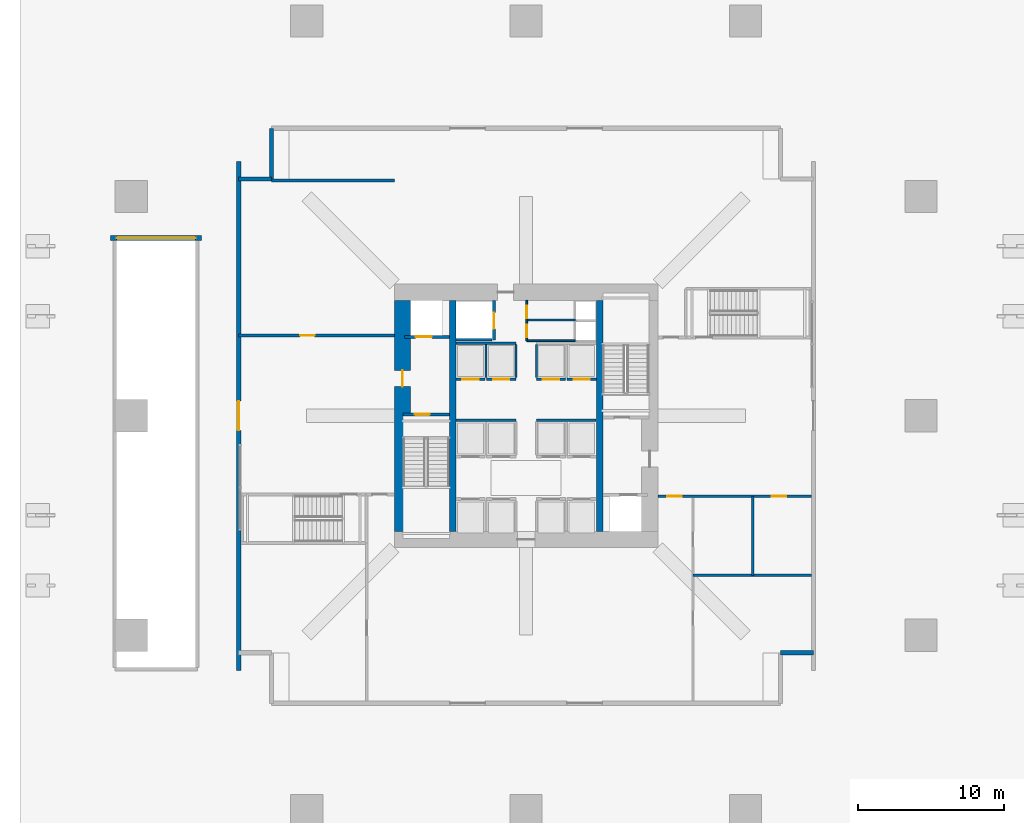
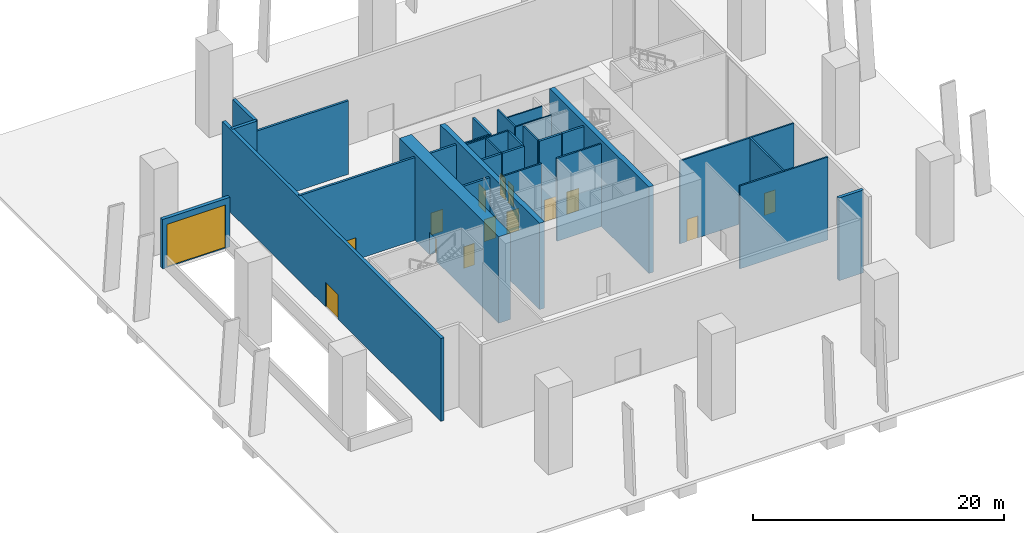
# One storey, part 7 of 12: 30 walls, 15 doors, 15 openings.
"""IFC4 building model written with IfcOpenShell, lengths in metres."""

from ifc_helpers import new_model, si_unit, direction, frame, frame_2d, origin, place, context, subcontext, project, spatial, rectangle, extrude, material, layer, layer_set, type_object, element, fill, save


model = new_model("IFC4")

# Units and contexts
model_context = context("Model", 3, precision=1e-05, world=origin(), true_north=direction((0.0, 1.0)))
body_context = subcontext(model_context, "Body", "Model", "MODEL_VIEW")
ifc_project = project(units=[si_unit("LENGTHUNIT", "METRE"), si_unit("AREAUNIT", "SQUARE_METRE"), si_unit("VOLUMEUNIT", "CUBIC_METRE"), si_unit("PLANEANGLEUNIT", "RADIAN"), si_unit("MASSUNIT", "GRAM", prefix="KILO")], contexts=[model_context])

# Site, building, storey
site_placement = place(None, origin())
site = spatial("IfcSite", under=ifc_project, at=site_placement, CompositionType="ELEMENT")
building_placement = place(site_placement, origin())
building = spatial("IfcBuilding", under=site, at=building_placement, Name="Belovzor Exchange Tower", CompositionType="ELEMENT")
storey_placement = place(building_placement, origin())
storey = spatial("IfcBuildingStorey", under=building, at=storey_placement, Name="L01", CompositionType="ELEMENT", Elevation=0.0)

# Wall, openings, doors
ifc_material_1 = material(Name="Fire-Rated Plasterboard on Galvanised Studs", Category="gypsum")
ifc_layer_1 = layer(ifc_material_1, 0.1201171875)
ifc_layer_set_1 = layer_set([ifc_layer_1], Name="Fire-Rated Plasterboard on Galvanised Studs")
wall_type_1 = type_object("IfcWallType", Name="Fire-Rated Double-Stud Partition Wall 120", PredefinedType="PARTITIONING", material=ifc_layer_set_1)
wall_1_placement = place(storey_placement, frame((28.85009765625, 33.925048828125, 0.0), z_axis=(0.0, 0.0, 1.0), x_axis=(0.0, 1.0, 0.0)))
wall_1 = element("IfcWall", 1, at=wall_1_placement, inside=storey, type_object=wall_type_1, Name="W-P120F Partition Wall W-CRV-L01-W", PredefinedType="PARTITIONING", context=body_context, shape_type="SweptSolid", body=[
    extrude(rectangle(XDim=2.77490234375, YDim=0.1201171875, at=frame_2d((1.387451171875, 0.0))), origin(), (0.0, 0.0, 1.0), 8.050048828125),
])
opening_1_placement = place(wall_1_placement, frame((0.25, 0.0, 0.0)))
opening_1 = element("IfcOpeningElement", 2, at=opening_1_placement, cuts=wall_1, Name="Opening D-FD60-085", PredefinedType="OPENING", context=body_context, shape_type="SweptSolid", body=[
    extrude(rectangle(XDim=0.85009765625, YDim=2.10009765625, at=frame_2d((0.425048828125, 1.050048828125))), frame((0.0, 0.070068359375, 0.0), z_axis=(0.0, -1.0, 0.0), x_axis=(1.0, 0.0, 0.0)), (0.0, 0.0, 1.0), 0.14013671875),
])
opening_2_placement = place(wall_1_placement, frame((1.544921875, 0.0, 0.0)))
opening_2 = element("IfcOpeningElement", 3, at=opening_2_placement, cuts=wall_1, Name="Opening D-FD60-085", PredefinedType="OPENING", context=body_context, shape_type="SweptSolid", body=[
    extrude(rectangle(XDim=0.85009765625, YDim=2.10009765625, at=frame_2d((0.425048828125, 1.050048828125))), frame((0.0, 0.070068359375, 0.0), z_axis=(0.0, -1.0, 0.0), x_axis=(1.0, 0.0, 0.0)), (0.0, 0.0, 1.0), 0.14013671875),
])
ifc_material_2 = material(Name="Fire-Rated Steel Access Leaf", Category="steel")
door_type_1 = type_object("IfcDoorType", Name="Riser & Meter Closet Access Fire Door 850x2100", OperationType="NOTDEFINED", PredefinedType="DOOR", material=ifc_material_2)
door_1_placement = place(opening_1_placement, origin())
door_1 = element("IfcDoor", 4, at=door_1_placement, inside=storey, type_object=door_type_1, Name="D-FD60-085 Riser & Meter Closet Access Fire Door 850x2100", OperationType="SINGLE_SWING_LEFT", OverallHeight=2.10009765625, OverallWidth=0.85009765625, PredefinedType="DOOR", context=body_context, shape_type="SweptSolid", body=[
    extrude(rectangle(XDim=0.85009765625, YDim=2.10009765625, at=frame_2d((0.425048828125, 1.050048828125))), frame((0.0, 0.02490234375, 0.0), z_axis=(0.0, -1.0, 0.0), x_axis=(1.0, 0.0, 0.0)), (0.0, 0.0, 1.0), 0.050048828125),
])
fill(opening_1, door_1)
door_2_placement = place(opening_2_placement, origin())
door_2 = element("IfcDoor", 5, at=door_2_placement, inside=storey, type_object=door_type_1, Name="D-FD60-085 Riser & Meter Closet Access Fire Door 850x2100", OperationType="SINGLE_SWING_RIGHT", OverallHeight=2.10009765625, OverallWidth=0.85009765625, PredefinedType="DOOR", context=body_context, shape_type="SweptSolid", body=[
    extrude(rectangle(XDim=0.85009765625, YDim=2.10009765625, at=frame_2d((0.425048828125, 1.050048828125))), frame((0.0, 0.02490234375, 0.0), z_axis=(0.0, -1.0, 0.0), x_axis=(1.0, 0.0, 0.0)), (0.0, 0.0, 1.0), 0.050048828125),
])
fill(opening_2, door_2)

# Walls
for number, where, z_axis, x_axis, name in (
    (6, (28.85009765625, 35.35009765625, 0.0), (0.0, 0.0, 1.0), (1.0, 0.0, 0.0), "W-P120F Partition Wall W-CRV-L01-M"),
    (7, (28.85009765625, 33.925048828125, 0.0), (0.0, 0.0, 1.0), (1.0, 0.0, 0.0), "W-P120F Partition Wall W-CRV-L01-S"),
):
    element("IfcWall", number, at=place(storey_placement, frame(where, z_axis=z_axis, x_axis=x_axis)), inside=storey, type_object=wall_type_1, Name=name, PredefinedType="PARTITIONING", context=body_context, shape_type="SweptSolid", body=[
        extrude(rectangle(XDim=3.2998046875, YDim=0.1201171875, at=frame_2d((1.64990234375, 0.0))), origin(), (0.0, 0.0, 1.0), 8.050048828125),
    ])

# Wall, openings, doors
ifc_material_3 = material(Name="Fire-Rated Gypsum Block and Mineral Wool", Category="gypsum")
ifc_layer_2 = layer(ifc_material_3, 0.14990234375)
ifc_layer_set_2 = layer_set([ifc_layer_2], Name="Fire-Rated Gypsum Block and Mineral Wool")
wall_type_2 = type_object("IfcWallType", Name="Fire-Rated Gypsum Block Corridor Wall 150", PredefinedType="PARTITIONING", material=ifc_layer_set_2)
wall_2_placement = place(storey_placement, frame((37.800048828125, 23.300048828125, 0.0), z_axis=(0.0, 0.0, 1.0), x_axis=(1.0, 0.0, 0.0)))
wall_2 = element("IfcWall", 8, at=wall_2_placement, inside=storey, type_object=wall_type_2, Name="W-P150 Partition Wall W-L01-WC-N", PredefinedType="PARTITIONING", context=body_context, shape_type="SweptSolid", body=[
    extrude(rectangle(XDim=10.5, YDim=0.14990234375, at=frame_2d((5.25, 0.0))), origin(), (0.0, 0.0, 1.0), 8.050048828125),
])
opening_3_placement = place(wall_2_placement, frame((0.64990234375, 0.0, 0.0)))
opening_3 = element("IfcOpeningElement", 9, at=opening_3_placement, cuts=wall_2, Name="Opening D-FD60-105", PredefinedType="OPENING", context=body_context, shape_type="SweptSolid", body=[
    extrude(rectangle(XDim=1.0, YDim=2.14990234375, at=frame_2d((0.5, 1.074951171875))), frame((0.0, 0.0849609375, 0.0), z_axis=(0.0, -1.0, 0.0), x_axis=(1.0, 0.0, 0.0)), (0.0, 0.0, 1.0), 0.169921875),
])
opening_4_placement = place(wall_2_placement, frame((7.800048828125, 0.0, 0.0)))
opening_4 = element("IfcOpeningElement", 10, at=opening_4_placement, cuts=wall_2, Name="Opening D-FD60-105", PredefinedType="OPENING", context=body_context, shape_type="SweptSolid", body=[
    extrude(rectangle(XDim=1.0, YDim=2.14990234375, at=frame_2d((0.5, 1.074951171875))), frame((0.0, 0.0849609375, 0.0), z_axis=(0.0, -1.0, 0.0), x_axis=(1.0, 0.0, 0.0)), (0.0, 0.0, 1.0), 0.169921875),
])
ifc_material_4 = material(Name="Acoustic Timber Fire Leaf", Category="wood")
door_type_2 = type_object("IfcDoorType", Name="Podium Gallery Acoustic Fire Door 1000x2150", OperationType="NOTDEFINED", PredefinedType="DOOR", material=ifc_material_4)
door_3_placement = place(opening_3_placement, origin())
door_3 = element("IfcDoor", 11, at=door_3_placement, inside=storey, type_object=door_type_2, Name="D-FD60-105 Podium Gallery Acoustic Fire Door 1000x2150", OperationType="SINGLE_SWING_LEFT", OverallHeight=2.14990234375, OverallWidth=1.0, PredefinedType="DOOR", context=body_context, shape_type="SweptSolid", body=[
    extrude(rectangle(XDim=1.0, YDim=2.14990234375, at=frame_2d((0.5, 1.074951171875))), frame((0.0, 0.02490234375, 0.0), z_axis=(0.0, -1.0, 0.0), x_axis=(1.0, 0.0, 0.0)), (0.0, 0.0, 1.0), 0.050048828125),
])
fill(opening_3, door_3)
door_4_placement = place(opening_4_placement, origin())
door_4 = element("IfcDoor", 12, at=door_4_placement, inside=storey, type_object=door_type_2, Name="D-FD60-105 Podium Gallery Acoustic Fire Door 1000x2150", OperationType="SINGLE_SWING_RIGHT", OverallHeight=2.14990234375, OverallWidth=1.0, PredefinedType="DOOR", context=body_context, shape_type="SweptSolid", body=[
    extrude(rectangle(XDim=1.0, YDim=2.14990234375, at=frame_2d((0.5, 1.074951171875))), frame((0.0, 0.02490234375, 0.0), z_axis=(0.0, -1.0, 0.0), x_axis=(1.0, 0.0, 0.0)), (0.0, 0.0, 1.0), 0.050048828125),
])
fill(opening_4, door_4)

# Walls
wall_3_placement = place(storey_placement, frame((40.199951171875, 17.89990234375, 0.0), z_axis=(0.0, 0.0, 1.0), x_axis=(1.0, 0.0, 0.0)))
element("IfcWall", 13, at=wall_3_placement, inside=storey, type_object=wall_type_2, Name="W-P150 Partition Wall W-L01-WC-M", PredefinedType="PARTITIONING", context=body_context, shape_type="SweptSolid", body=[
    extrude(rectangle(XDim=8.10009765625, YDim=0.14990234375, at=frame_2d((4.050048828125, 0.0))), origin(), (0.0, 0.0, 1.0), 8.050048828125),
])
wall_4_placement = place(storey_placement, frame((44.300048828125, 17.89990234375, 0.0), z_axis=(0.0, 0.0, 1.0), x_axis=(0.0, 1.0, 0.0)))
element("IfcWall", 14, at=wall_4_placement, inside=storey, type_object=wall_type_2, Name="W-P150 Partition Wall W-L01-WC-A", PredefinedType="PARTITIONING", context=body_context, shape_type="SweptSolid", body=[
    extrude(rectangle(XDim=5.400146484375, YDim=0.14990234375, at=frame_2d((2.7001953125, 0.0))), origin(), (0.0, 0.0, 1.0), 8.050048828125),
])

# Wall, opening, door
ifc_material_5 = material(Name="Precast concrete C40/50", Category="concrete")
ifc_layer_3 = layer(ifc_material_5, 0.300048828125)
ifc_layer_set_3 = layer_set([ifc_layer_3], Name="Precast concrete C40/50")
wall_type_3 = type_object("IfcWallType", Name="Precast Concrete Concourse Perimeter Wall 300", PredefinedType="SOLIDWALL", material=ifc_layer_set_3)
wall_5_placement = place(storey_placement, frame((9.14990234375, 11.39990234375, 0.0), z_axis=(0.0, 0.0, 1.0), x_axis=(0.0, 1.0, 0.0)))
wall_5 = element("IfcWall", 15, at=wall_5_placement, inside=storey, type_object=wall_type_3, Name="W-CON300 Precast Concrete Concourse Perimeter Wall 300 L01", PredefinedType="SOLIDWALL", context=body_context, shape_type="SweptSolid", body=[
    extrude(rectangle(XDim=34.800048828125, YDim=0.300048828125, at=frame_2d((17.39990234375, 0.0))), origin(), (0.0, 0.0, 1.0), 8.050048828125),
])
opening_5_placement = place(wall_5_placement, frame((16.39990234375, 0.0, 0.0)))
opening_5 = element("IfcOpeningElement", 16, at=opening_5_placement, cuts=wall_5, Name="Opening D-EXIT200", PredefinedType="OPENING", context=body_context, shape_type="SweptSolid", body=[
    extrude(rectangle(XDim=2.0, YDim=2.39990234375, at=frame_2d((1.0, 1.199951171875))), frame((0.0, 0.159912109375, 0.0), z_axis=(0.0, -1.0, 0.0), x_axis=(1.0, 0.0, 0.0)), (0.0, 0.0, 1.0), 0.320068359375),
])
ifc_material_6 = material(Name="Thermally Broken Anodised Aluminium and Laminated Glass", Category="aluminium")
door_type_3 = type_object("IfcDoorType", Name="Ground Final Exit Double Fire Door 2000x2400", OperationType="DOUBLE_DOOR_SINGLE_SWING", PredefinedType="DOOR", material=ifc_material_6)
door_5_placement = place(opening_5_placement, origin())
door_5 = element("IfcDoor", 17, at=door_5_placement, inside=storey, type_object=door_type_3, Name="D-EXIT200 West Final Exit Discharge Door", OperationType="DOUBLE_DOOR_SINGLE_SWING", OverallHeight=2.39990234375, OverallWidth=2.0, PredefinedType="DOOR", context=body_context, shape_type="SweptSolid", body=[
    extrude(rectangle(XDim=2.0, YDim=2.39990234375, at=frame_2d((1.0, 1.199951171875))), frame((0.0, 0.02490234375, 0.0), z_axis=(0.0, -1.0, 0.0), x_axis=(1.0, 0.0, 0.0)), (0.0, 0.0, 1.0), 0.050048828125),
])
fill(opening_5, door_5)

# Walls
ifc_material_7 = material(Name="Precast concrete C40/50", Category="concrete")
ifc_layer_4 = layer(ifc_material_7, 0.280029296875)
ifc_layer_set_4 = layer_set([ifc_layer_4], Name="Precast concrete C40/50")
wall_type_4 = type_object("IfcWallType", Name="Precast Concrete Notched Corner Frame Wall 280", PredefinedType="SOLIDWALL", material=ifc_layer_set_4)
wall_6_placement = place(storey_placement, frame((9.14990234375, 45.0, 0.0), z_axis=(0.0, 0.0, 1.0), x_axis=(1.0, 0.0, 0.0)))
element("IfcWall", 18, at=wall_6_placement, inside=storey, type_object=wall_type_4, Name="W-CRN280 Precast Concrete Notched Corner Frame Wall 280 L01", PredefinedType="SOLIDWALL", context=body_context, shape_type="SweptSolid", body=[
    extrude(rectangle(XDim=2.25, YDim=0.280029296875, at=frame_2d((1.125, 0.0))), origin(), (0.0, 0.0, 1.0), 8.050048828125),
])
wall_7_placement = place(storey_placement, frame((11.39990234375, 45.0, 0.0), z_axis=(0.0, 0.0, 1.0), x_axis=(0.0, 1.0, 0.0)))
element("IfcWall", 19, at=wall_7_placement, inside=storey, type_object=wall_type_4, Name="W-CRN280 Precast Concrete Notched Corner Frame Wall 280 L01", PredefinedType="SOLIDWALL", context=body_context, shape_type="SweptSolid", body=[
    extrude(rectangle(XDim=3.449951171875, YDim=0.280029296875, at=frame_2d((1.72509765625, 0.0))), origin(), (0.0, 0.0, 1.0), 8.050048828125),
])
wall_8_placement = place(storey_placement, frame((48.449951171875, 12.60009765625, 0.0), z_axis=(0.0, 0.0, 1.0), x_axis=(-1.0, 0.0, 0.0)))
element("IfcWall", 20, at=wall_8_placement, inside=storey, type_object=wall_type_4, Name="W-CRN280 Precast Concrete Notched Corner Frame Wall 280 L01", PredefinedType="SOLIDWALL", context=body_context, shape_type="SweptSolid", body=[
    extrude(rectangle(XDim=2.25, YDim=0.280029296875, at=frame_2d((1.125, 0.0))), origin(), (0.0, 0.0, 1.0), 8.050048828125),
])

# Wall, opening, door
ifc_material_8 = material(Name="Precast concrete C40/50", Category="concrete")
ifc_layer_5 = layer(ifc_material_8, 0.320068359375)
ifc_layer_set_5 = layer_set([ifc_layer_5], Name="Precast concrete C40/50")
wall_type_5 = type_object("IfcWallType", Name="Precast Concrete Vehicle Ramp Portal Wall 320", PredefinedType="SOLIDWALL", material=ifc_layer_set_5)
wall_9_placement = place(storey_placement, frame((0.39990234375, 40.9599609375, 0.0), z_axis=(0.0, 0.0, 1.0), x_axis=(1.0, 0.0, 0.0)))
wall_9 = element("IfcWall", 21, at=wall_9_placement, inside=storey, type_object=wall_type_5, Name="W-RMP320 Precast Concrete Vehicle Ramp Portal Wall 320 L01", PredefinedType="SOLIDWALL", context=body_context, shape_type="SweptSolid", body=[
    extrude(rectangle(XDim=6.2001953125, YDim=0.320068359375, at=frame_2d((3.10009765625, 0.0))), origin(), (0.0, 0.0, 1.0), 4.800048828125),
])
opening_6_placement = place(wall_9_placement, frame((0.39990234375, 0.0, 0.0)))
opening_6 = element("IfcOpeningElement", 22, at=opening_6_placement, cuts=wall_9, Name="Opening VG-01", PredefinedType="OPENING", context=body_context, shape_type="SweptSolid", body=[
    extrude(rectangle(XDim=5.39990234375, YDim=4.199951171875, at=frame_2d((2.699951171875, 2.10009765625))), frame((0.0, 0.169921875, 0.0), z_axis=(0.0, -1.0, 0.0), x_axis=(1.0, 0.0, 0.0)), (0.0, 0.0, 1.0), 0.340087890625),
])
ifc_material_9 = material(Name="Insulated Galvanised Steel Slats", Category="steel")
door_type_4 = type_object("IfcDoorType", Name="Insulated High-Speed Vehicle Roller Shutter Gate 5400x4200", OperationType="ROLLINGUP", PredefinedType="GATE", material=ifc_material_9)
door_6_placement = place(opening_6_placement, origin())
door_6 = element("IfcDoor", 23, at=door_6_placement, inside=storey, type_object=door_type_4, Name="VG-01 Vehicle Car Park Ramp Shutter Gate", OperationType="ROLLINGUP", OverallHeight=4.199951171875, OverallWidth=5.39990234375, PredefinedType="GATE", context=body_context, shape_type="SweptSolid", body=[
    extrude(rectangle(XDim=5.39990234375, YDim=4.199951171875, at=frame_2d((2.699951171875, 2.10009765625))), frame((0.0, 0.02490234375, 0.0), z_axis=(0.0, -1.0, 0.0), x_axis=(1.0, 0.0, 0.0)), (0.0, 0.0, 1.0), 0.050048828125),
])
fill(opening_6, door_6)

ifc_material_10 = material(Name="Concrete C40/50", Category="concrete")
ifc_layer_6 = layer(ifc_material_10, 0.199951171875)
ifc_layer_set_6 = layer_set([ifc_layer_6], Name="Concrete C40/50")
wall_type_6 = type_object("IfcWallType", Name="Reinforced Concrete Compartment Wall 200", PredefinedType="PARTITIONING", material=ifc_layer_set_6)
wall_10_placement = place(storey_placement, frame((9.14990234375, 34.300048828125, 0.0), z_axis=(0.0, 0.0, 1.0), x_axis=(1.0, 0.0, 0.0)))
wall_10 = element("IfcWall", 24, at=wall_10_placement, inside=storey, type_object=wall_type_6, Name="W-C200 Partition Wall W-L01-FCC-S", PredefinedType="PARTITIONING", context=body_context, shape_type="SweptSolid", body=[
    extrude(rectangle(XDim=10.650146484375, YDim=0.199951171875, at=frame_2d((5.3251953125, 0.0))), origin(), (0.0, 0.0, 1.0), 8.050048828125),
])
opening_7_placement = place(wall_10_placement, frame((4.199951171875, 0.0, 0.0)))
opening_7 = element("IfcOpeningElement", 25, at=opening_7_placement, cuts=wall_10, Name="Opening D-FD90-105", PredefinedType="OPENING", context=body_context, shape_type="SweptSolid", body=[
    extrude(rectangle(XDim=1.0, YDim=2.14990234375, at=frame_2d((0.5, 1.074951171875))), frame((0.0, 0.10986328125, 0.0), z_axis=(0.0, -1.0, 0.0), x_axis=(1.0, 0.0, 0.0)), (0.0, 0.0, 1.0), 0.219970703125),
])
ifc_material_11 = material(Name="Fire-Rated Galvanised Steel Leaf", Category="steel")
door_type_5 = type_object("IfcDoorType", Name="Core North Foyer Fire Door 1000x2150", OperationType="NOTDEFINED", PredefinedType="DOOR", material=ifc_material_11)
door_7_placement = place(opening_7_placement, origin())
door_7 = element("IfcDoor", 26, at=door_7_placement, inside=storey, type_object=door_type_5, Name="D-FD90-105 Core North Foyer Fire Door 1000x2150", OperationType="SINGLE_SWING_LEFT", OverallHeight=2.14990234375, OverallWidth=1.0, PredefinedType="DOOR", context=body_context, shape_type="SweptSolid", body=[
    extrude(rectangle(XDim=1.0, YDim=2.14990234375, at=frame_2d((0.5, 1.074951171875))), frame((0.0, 0.02490234375, 0.0), z_axis=(0.0, -1.0, 0.0), x_axis=(1.0, 0.0, 0.0)), (0.0, 0.0, 1.0), 0.050048828125),
])
fill(opening_7, door_7)

# Walls
wall_11_placement = place(storey_placement, frame((11.39990234375, 44.89990234375, 0.0), z_axis=(0.0, 0.0, 1.0), x_axis=(1.0, 0.0, 0.0)))
element("IfcWall", 27, at=wall_11_placement, inside=storey, type_object=wall_type_6, Name="W-C200 Partition Wall W-L01-FCC-N", PredefinedType="PARTITIONING", context=body_context, shape_type="SweptSolid", body=[
    extrude(rectangle(XDim=8.400146484375, YDim=0.199951171875, at=frame_2d((4.2001953125, 0.0))), origin(), (0.0, 0.0, 1.0), 7.135009765625),
])
ifc_material_12 = material(Name="Concrete C50/60", Category="concrete")
ifc_layer_7 = layer(ifc_material_12, 0.449951171875)
ifc_layer_set_7 = layer_set([ifc_layer_7], Name="Concrete C50/60")
wall_type_7 = type_object("IfcWallType", Name="Reinforced Concrete Core Internal Web Wall 450", PredefinedType="SHEAR", material=ifc_layer_set_7)
for number, where, z_axis, x_axis, name in (
    (28, (23.77490234375, 20.89990234375, 0.0), (0.0, 0.0, 1.0), (0.0, 1.0, 0.0), "CW-W045 Core Internal Web Wall L01 WL"),
    (29, (33.824951171875, 20.89990234375, 0.0), (0.0, 0.0, 1.0), (0.0, 1.0, 0.0), "CW-W045 Core Internal Web Wall L01 ER"),
):
    element("IfcWall", number, at=place(storey_placement, frame(where, z_axis=z_axis, x_axis=x_axis)), inside=storey, type_object=wall_type_7, Name=name, PredefinedType="SHEAR", context=body_context, shape_type="SweptSolid", body=[
        extrude(rectangle(XDim=15.800048828125, YDim=0.449951171875, at=frame_2d((7.89990234375, 0.0))), origin(), (0.0, 0.0, 1.0), 8.39990234375),
    ])
ifc_material_13 = material(Name="Concrete C50/60", Category="concrete")
ifc_layer_8 = layer(ifc_material_13, 0.14990234375)
ifc_layer_set_8 = layer_set([ifc_layer_8], Name="Concrete C50/60")
wall_type_8 = type_object("IfcWallType", Name="Reinforced Concrete Core Riser Shear Wall 150", PredefinedType="SHEAR", material=ifc_layer_set_8)
wall_12_placement = place(storey_placement, frame((24.0, 34.0, 0.0), z_axis=(0.0, 0.0, 1.0), x_axis=(1.0, 0.0, 0.0)))
element("IfcWall", 30, at=wall_12_placement, inside=storey, type_object=wall_type_8, Name="W-C150S Core Shaft Wall W-SH-L01-SL-01S", PredefinedType="SHEAR", context=body_context, shape_type="SweptSolid", body=[
    extrude(rectangle(XDim=2.47998046875, YDim=0.14990234375, at=frame_2d((1.239990234375, 0.0))), origin(), (0.0, 0.0, 1.0), 8.050048828125),
])
for number, where, z_axis, x_axis, name in (
    (31, (24.02001953125, 28.5, 0.0), (0.0, 0.0, 1.0), (1.0, 0.0, 0.0), "W-C150S Core Shaft Wall W-SHB-L01-PLM-NW"),
    (32, (29.5, 28.5, 0.0), (0.0, 0.0, 1.0), (1.0, 0.0, 0.0), "W-C150S Core Shaft Wall W-SHB-L01-PLM-NE"),
    (33, (24.02001953125, 33.760009765625, 0.0), (0.0, 0.0, 1.0), (1.0, 0.0, 0.0), "W-C150S Core Shaft Wall W-SHB-L01-PLH-NW"),
):
    element("IfcWall", number, at=place(storey_placement, frame(where, z_axis=z_axis, x_axis=x_axis)), inside=storey, type_object=wall_type_8, Name=name, PredefinedType="SHEAR", context=body_context, shape_type="SweptSolid", body=[
        extrude(rectangle(XDim=4.080078125, YDim=0.14990234375, at=frame_2d((2.0400390625, 0.0))), origin(), (0.0, 0.0, 1.0), 8.050048828125),
    ])
for number, where, z_axis, x_axis, name in (
    (34, (26.050048828125, 31.419921875, 0.0), (0.0, 0.0, 1.0), (0.0, 1.0, 0.0), "W-C150S Core Shaft Wall W-SHD-L01-PLH-1"),
    (35, (28.10009765625, 31.419921875, 0.0), (0.0, 0.0, 1.0), (0.0, 1.0, 0.0), "W-C150S Core Shaft Wall W-SHD-L01-PLH-2"),
    (36, (29.5, 31.419921875, 0.0), (0.0, 0.0, 1.0), (0.0, 1.0, 0.0), "W-C150S Core Shaft Wall W-SHD-L01-PLH-3"),
):
    element("IfcWall", number, at=place(storey_placement, frame(where, z_axis=z_axis, x_axis=x_axis)), inside=storey, type_object=wall_type_8, Name=name, PredefinedType="SHEAR", context=body_context, shape_type="SweptSolid", body=[
        extrude(rectangle(XDim=2.239990234375, YDim=0.14990234375, at=frame_2d((1.1201171875, 0.0))), origin(), (0.0, 0.0, 1.0), 8.050048828125),
    ])

# Wall, opening, door
ifc_material_14 = material(Name="Concrete C50/60", Category="concrete")
ifc_layer_9 = layer(ifc_material_14, 0.199951171875)
ifc_layer_set_9 = layer_set([ifc_layer_9], Name="Concrete C50/60")
wall_type_9 = type_object("IfcWallType", Name="Reinforced Concrete Core Shaft Shear Wall 200", PredefinedType="SHEAR", material=ifc_layer_set_9)
wall_13_placement = place(storey_placement, frame((20.39990234375, 28.89990234375, 0.0), z_axis=(0.0, 0.0, 1.0), x_axis=(1.0, 0.0, 0.0)))
wall_13 = element("IfcWall", 37, at=wall_13_placement, inside=storey, type_object=wall_type_9, Name="W-C200S Core Shaft Wall W-CORE-L01-FFLW1", PredefinedType="SHEAR", context=body_context, shape_type="SweptSolid", body=[
    extrude(rectangle(XDim=3.150146484375, YDim=0.199951171875, at=frame_2d((1.5751953125, 0.0))), origin(), (0.0, 0.0, 1.0), 8.050048828125),
])
opening_8_placement = place(wall_13_placement, frame((0.800048828125, 0.0, 0.0)))
opening_8 = element("IfcOpeningElement", 38, at=opening_8_placement, cuts=wall_13, Name="Opening D-FD90-100", PredefinedType="OPENING", context=body_context, shape_type="SweptSolid", body=[
    extrude(rectangle(XDim=1.0, YDim=2.10009765625, at=frame_2d((0.5, 1.050048828125))), frame((0.0, 0.10986328125, 0.0), z_axis=(0.0, -1.0, 0.0), x_axis=(1.0, 0.0, 0.0)), (0.0, 0.0, 1.0), 0.219970703125),
])
ifc_material_15 = material(Name="Fire-Rated Galvanised Steel Leaf", Category="steel")
door_type_6 = type_object("IfcDoorType", Name="Protected Stairwell Single Fire Door 1000x2100", OperationType="NOTDEFINED", PredefinedType="DOOR", material=ifc_material_15)
door_8_placement = place(opening_8_placement, origin())
door_8 = element("IfcDoor", 39, at=door_8_placement, inside=storey, type_object=door_type_6, Name="D-FD90-100 Protected Stairwell Single Fire Door 1000x2100", OperationType="SINGLE_SWING_RIGHT", OverallHeight=2.10009765625, OverallWidth=1.0, PredefinedType="DOOR", context=body_context, shape_type="SweptSolid", body=[
    extrude(rectangle(XDim=1.0, YDim=2.10009765625, at=frame_2d((0.5, 1.050048828125))), frame((0.0, 0.02490234375, 0.0), z_axis=(0.0, -1.0, 0.0), x_axis=(1.0, 0.0, 0.0)), (0.0, 0.0, 1.0), 0.050048828125),
])
fill(opening_8, door_8)

wall_14_placement = place(storey_placement, frame((20.5, 34.199951171875, 0.0), z_axis=(0.0, 0.0, 1.0), x_axis=(1.0, 0.0, 0.0)))
wall_14 = element("IfcWall", 40, at=wall_14_placement, inside=storey, type_object=wall_type_9, Name="W-C200S Core Shaft Wall W-SH-L01-FFL-01", PredefinedType="SHEAR", context=body_context, shape_type="SweptSolid", body=[
    extrude(rectangle(XDim=3.050048828125, YDim=0.199951171875, at=frame_2d((1.52490234375, 0.0))), origin(), (0.0, 0.0, 1.0), 8.050048828125),
])
opening_9_placement = place(wall_14_placement, frame((0.75, 0.0, 0.0)))
opening_9 = element("IfcOpeningElement", 41, at=opening_9_placement, cuts=wall_14, Name="Opening LD-110", PredefinedType="OPENING", context=body_context, shape_type="SweptSolid", body=[
    extrude(rectangle(XDim=1.10009765625, YDim=2.14990234375, at=frame_2d((0.550048828125, 1.074951171875))), frame((0.0, 0.10986328125, 0.0), z_axis=(0.0, -1.0, 0.0), x_axis=(1.0, 0.0, 0.0)), (0.0, 0.0, 1.0), 0.219970703125),
])
ifc_material_16 = material(Name="Stainless Steel Grade 304", Category="steel")
door_type_7 = type_object("IfcDoorType", Name="Automated Stainless Steel Lift Landing Door 1100x2150", OperationType="SLIDING_TO_RIGHT", PredefinedType="DOOR", material=ifc_material_16)
door_9_placement = place(opening_9_placement, origin())
door_9 = element("IfcDoor", 42, at=door_9_placement, inside=storey, type_object=door_type_7, Name="LD-110 Automated Stainless Steel Lift Landing Door 1100x2150", OperationType="SLIDING_TO_RIGHT", OverallHeight=2.14990234375, OverallWidth=1.10009765625, PredefinedType="DOOR", context=body_context, shape_type="SweptSolid", body=[
    extrude(rectangle(XDim=1.10009765625, YDim=2.14990234375, at=frame_2d((0.550048828125, 1.074951171875))), frame((0.0, 0.02490234375, 0.0), z_axis=(0.0, -1.0, 0.0), x_axis=(1.0, 0.0, 0.0)), (0.0, 0.0, 1.0), 0.050048828125),
])
fill(opening_9, door_9)

wall_15_placement = place(storey_placement, frame((26.60009765625, 34.0, 0.0), z_axis=(0.0, 0.0, 1.0), x_axis=(0.0, 1.0, 0.0)))
wall_15 = element("IfcWall", 43, at=wall_15_placement, inside=storey, type_object=wall_type_9, Name="W-C200S Core Shaft Wall W-SH-L01-SL-01", PredefinedType="SHEAR", context=body_context, shape_type="SweptSolid", body=[
    extrude(rectangle(XDim=2.699951171875, YDim=0.199951171875, at=frame_2d((1.35009765625, 0.0))), origin(), (0.0, 0.0, 1.0), 8.050048828125),
])
opening_10_placement = place(wall_15_placement, frame((0.75, 0.0, 0.0)))
opening_10 = element("IfcOpeningElement", 44, at=opening_10_placement, cuts=wall_15, Name="Opening LD-110", PredefinedType="OPENING", context=body_context, shape_type="SweptSolid", body=[
    extrude(rectangle(XDim=1.10009765625, YDim=2.14990234375, at=frame_2d((0.550048828125, 1.074951171875))), frame((0.0, 0.10986328125, 0.0), z_axis=(0.0, -1.0, 0.0), x_axis=(1.0, 0.0, 0.0)), (0.0, 0.0, 1.0), 0.219970703125),
])
door_10_placement = place(opening_10_placement, origin())
door_10 = element("IfcDoor", 45, at=door_10_placement, inside=storey, type_object=door_type_7, Name="LD-110 Automated Stainless Steel Lift Landing Door 1100x2150", OperationType="SLIDING_TO_RIGHT", OverallHeight=2.14990234375, OverallWidth=1.10009765625, PredefinedType="DOOR", context=body_context, shape_type="SweptSolid", body=[
    extrude(rectangle(XDim=1.10009765625, YDim=2.14990234375, at=frame_2d((0.550048828125, 1.074951171875))), frame((0.0, 0.02490234375, 0.0), z_axis=(0.0, -1.0, 0.0), x_axis=(1.0, 0.0, 0.0)), (0.0, 0.0, 1.0), 0.050048828125),
])
fill(opening_10, door_10)

wall_16_placement = place(storey_placement, frame((24.0, 31.300048828125, 0.0), z_axis=(0.0, 0.0, 1.0), x_axis=(1.0, 0.0, 0.0)))
wall_16 = element("IfcWall", 46, at=wall_16_placement, inside=storey, type_object=wall_type_9, Name="W-C200S Core Shaft Wall W-SH-L01-PL-H1", PredefinedType="SHEAR", context=body_context, shape_type="SweptSolid", body=[
    extrude(rectangle(XDim=2.0, YDim=0.199951171875, at=frame_2d((1.0, 0.0))), origin(), (0.0, 0.0, 1.0), 8.050048828125),
])
opening_11_placement = place(wall_16_placement, frame((0.449951171875, 0.0, 0.0)))
opening_11 = element("IfcOpeningElement", 47, at=opening_11_placement, cuts=wall_16, Name="Opening LD-110", PredefinedType="OPENING", context=body_context, shape_type="SweptSolid", body=[
    extrude(rectangle(XDim=1.10009765625, YDim=2.14990234375, at=frame_2d((0.550048828125, 1.074951171875))), frame((0.0, 0.10986328125, 0.0), z_axis=(0.0, -1.0, 0.0), x_axis=(1.0, 0.0, 0.0)), (0.0, 0.0, 1.0), 0.219970703125),
])
door_11_placement = place(opening_11_placement, origin())
door_11 = element("IfcDoor", 48, at=door_11_placement, inside=storey, type_object=door_type_7, Name="LD-110 Automated Stainless Steel Lift Landing Door 1100x2150", OperationType="SLIDING_TO_RIGHT", OverallHeight=2.14990234375, OverallWidth=1.10009765625, PredefinedType="DOOR", context=body_context, shape_type="SweptSolid", body=[
    extrude(rectangle(XDim=1.10009765625, YDim=2.14990234375, at=frame_2d((0.550048828125, 1.074951171875))), frame((0.0, 0.02490234375, 0.0), z_axis=(0.0, -1.0, 0.0), x_axis=(1.0, 0.0, 0.0)), (0.0, 0.0, 1.0), 0.050048828125),
])
fill(opening_11, door_11)

wall_17_placement = place(storey_placement, frame((26.10009765625, 31.300048828125, 0.0), z_axis=(0.0, 0.0, 1.0), x_axis=(1.0, 0.0, 0.0)))
wall_17 = element("IfcWall", 49, at=wall_17_placement, inside=storey, type_object=wall_type_9, Name="W-C200S Core Shaft Wall W-SH-L01-PL-H2", PredefinedType="SHEAR", context=body_context, shape_type="SweptSolid", body=[
    extrude(rectangle(XDim=2.0, YDim=0.199951171875, at=frame_2d((1.0, 0.0))), origin(), (0.0, 0.0, 1.0), 8.050048828125),
])
opening_12_placement = place(wall_17_placement, frame((0.449951171875, 0.0, 0.0)))
opening_12 = element("IfcOpeningElement", 50, at=opening_12_placement, cuts=wall_17, Name="Opening LD-110", PredefinedType="OPENING", context=body_context, shape_type="SweptSolid", body=[
    extrude(rectangle(XDim=1.10009765625, YDim=2.14990234375, at=frame_2d((0.550048828125, 1.074951171875))), frame((0.0, 0.10986328125, 0.0), z_axis=(0.0, -1.0, 0.0), x_axis=(1.0, 0.0, 0.0)), (0.0, 0.0, 1.0), 0.219970703125),
])
door_12_placement = place(opening_12_placement, origin())
door_12 = element("IfcDoor", 51, at=door_12_placement, inside=storey, type_object=door_type_7, Name="LD-110 Automated Stainless Steel Lift Landing Door 1100x2150", OperationType="SLIDING_TO_RIGHT", OverallHeight=2.14990234375, OverallWidth=1.10009765625, PredefinedType="DOOR", context=body_context, shape_type="SweptSolid", body=[
    extrude(rectangle(XDim=1.10009765625, YDim=2.14990234375, at=frame_2d((0.550048828125, 1.074951171875))), frame((0.0, 0.02490234375, 0.0), z_axis=(0.0, -1.0, 0.0), x_axis=(1.0, 0.0, 0.0)), (0.0, 0.0, 1.0), 0.050048828125),
])
fill(opening_12, door_12)

wall_18_placement = place(storey_placement, frame((29.5, 31.300048828125, 0.0), z_axis=(0.0, 0.0, 1.0), x_axis=(1.0, 0.0, 0.0)))
wall_18 = element("IfcWall", 52, at=wall_18_placement, inside=storey, type_object=wall_type_9, Name="W-C200S Core Shaft Wall W-SH-L01-PL-H3", PredefinedType="SHEAR", context=body_context, shape_type="SweptSolid", body=[
    extrude(rectangle(XDim=2.0, YDim=0.199951171875, at=frame_2d((1.0, 0.0))), origin(), (0.0, 0.0, 1.0), 8.050048828125),
])
opening_13_placement = place(wall_18_placement, frame((0.449951171875, 0.0, 0.0)))
opening_13 = element("IfcOpeningElement", 53, at=opening_13_placement, cuts=wall_18, Name="Opening LD-110", PredefinedType="OPENING", context=body_context, shape_type="SweptSolid", body=[
    extrude(rectangle(XDim=1.10009765625, YDim=2.14990234375, at=frame_2d((0.550048828125, 1.074951171875))), frame((0.0, 0.10986328125, 0.0), z_axis=(0.0, -1.0, 0.0), x_axis=(1.0, 0.0, 0.0)), (0.0, 0.0, 1.0), 0.219970703125),
])
door_13_placement = place(opening_13_placement, origin())
door_13 = element("IfcDoor", 54, at=door_13_placement, inside=storey, type_object=door_type_7, Name="LD-110 Automated Stainless Steel Lift Landing Door 1100x2150", OperationType="SLIDING_TO_RIGHT", OverallHeight=2.14990234375, OverallWidth=1.10009765625, PredefinedType="DOOR", context=body_context, shape_type="SweptSolid", body=[
    extrude(rectangle(XDim=1.10009765625, YDim=2.14990234375, at=frame_2d((0.550048828125, 1.074951171875))), frame((0.0, 0.02490234375, 0.0), z_axis=(0.0, -1.0, 0.0), x_axis=(1.0, 0.0, 0.0)), (0.0, 0.0, 1.0), 0.050048828125),
])
fill(opening_13, door_13)

wall_19_placement = place(storey_placement, frame((31.60009765625, 31.300048828125, 0.0), z_axis=(0.0, 0.0, 1.0), x_axis=(1.0, 0.0, 0.0)))
wall_19 = element("IfcWall", 55, at=wall_19_placement, inside=storey, type_object=wall_type_9, Name="W-C200S Core Shaft Wall W-SH-L01-PL-H4", PredefinedType="SHEAR", context=body_context, shape_type="SweptSolid", body=[
    extrude(rectangle(XDim=2.0, YDim=0.199951171875, at=frame_2d((1.0, 0.0))), origin(), (0.0, 0.0, 1.0), 8.050048828125),
])
opening_14_placement = place(wall_19_placement, frame((0.449951171875, 0.0, 0.0)))
opening_14 = element("IfcOpeningElement", 56, at=opening_14_placement, cuts=wall_19, Name="Opening LD-110", PredefinedType="OPENING", context=body_context, shape_type="SweptSolid", body=[
    extrude(rectangle(XDim=1.10009765625, YDim=2.14990234375, at=frame_2d((0.550048828125, 1.074951171875))), frame((0.0, 0.10986328125, 0.0), z_axis=(0.0, -1.0, 0.0), x_axis=(1.0, 0.0, 0.0)), (0.0, 0.0, 1.0), 0.219970703125),
])
door_14_placement = place(opening_14_placement, origin())
door_14 = element("IfcDoor", 57, at=door_14_placement, inside=storey, type_object=door_type_7, Name="LD-110 Automated Stainless Steel Lift Landing Door 1100x2150", OperationType="SLIDING_TO_RIGHT", OverallHeight=2.14990234375, OverallWidth=1.10009765625, PredefinedType="DOOR", context=body_context, shape_type="SweptSolid", body=[
    extrude(rectangle(XDim=1.10009765625, YDim=2.14990234375, at=frame_2d((0.550048828125, 1.074951171875))), frame((0.0, 0.02490234375, 0.0), z_axis=(0.0, -1.0, 0.0), x_axis=(1.0, 0.0, 0.0)), (0.0, 0.0, 1.0), 0.050048828125),
])
fill(opening_14, door_14)

ifc_material_17 = material(Name="Concrete C60/75", Category="concrete")
ifc_layer_10 = layer(ifc_material_17, 1.10009765625)
ifc_layer_set_10 = layer_set([ifc_layer_10], Name="Concrete C60/75")
wall_type_10 = type_object("IfcWallType", Name="Reinforced Concrete Core Shear Wall 1100", PredefinedType="SHEAR", material=ifc_layer_set_10)
wall_20_placement = place(storey_placement, frame((20.35009765625, 20.89990234375, 0.0), z_axis=(0.0, 0.0, 1.0), x_axis=(0.0, 1.0, 0.0)))
wall_20 = element("IfcWall", 58, at=wall_20_placement, inside=storey, type_object=wall_type_10, Name="CW-S110 Core Shear Wall L01 W", PredefinedType="SHEAR", context=body_context, shape_type="SweptSolid", body=[
    extrude(rectangle(XDim=15.800048828125, YDim=1.10009765625, at=frame_2d((7.89990234375, 0.0))), origin(), (0.0, 0.0, 1.0), 8.39990234375),
])
opening_15_placement = place(wall_20_placement, frame((9.89990234375, 0.0, 0.0)))
opening_15 = element("IfcOpeningElement", 59, at=opening_15_placement, cuts=wall_20, Name="Opening D-FD90-110", PredefinedType="OPENING", context=body_context, shape_type="SweptSolid", body=[
    extrude(rectangle(XDim=1.10009765625, YDim=2.14990234375, at=frame_2d((0.550048828125, 1.074951171875))), frame((0.0, 0.56005859375, 0.0), z_axis=(0.0, -1.0, 0.0), x_axis=(1.0, 0.0, 0.0)), (0.0, 0.0, 1.0), 1.1201171875),
])
ifc_material_18 = material(Name="Fire-Rated Galvanised Steel Leaf", Category="steel")
door_type_8 = type_object("IfcDoorType", Name="Protected Escape Vestibule Fire Door 1100x2150", OperationType="NOTDEFINED", PredefinedType="DOOR", material=ifc_material_18)
door_15_placement = place(opening_15_placement, origin())
door_15 = element("IfcDoor", 60, at=door_15_placement, inside=storey, type_object=door_type_8, Name="D-FD90-110 Protected Escape Vestibule Fire Door 1100x2150", OperationType="SINGLE_SWING_LEFT", OverallHeight=2.14990234375, OverallWidth=1.10009765625, PredefinedType="DOOR", context=body_context, shape_type="SweptSolid", body=[
    extrude(rectangle(XDim=1.10009765625, YDim=2.14990234375, at=frame_2d((0.550048828125, 1.074951171875))), frame((0.0, 0.02490234375, 0.0), z_axis=(0.0, -1.0, 0.0), x_axis=(1.0, 0.0, 0.0)), (0.0, 0.0, 1.0), 0.050048828125),
])
fill(opening_15, door_15)

save(model, "model.ifc")
